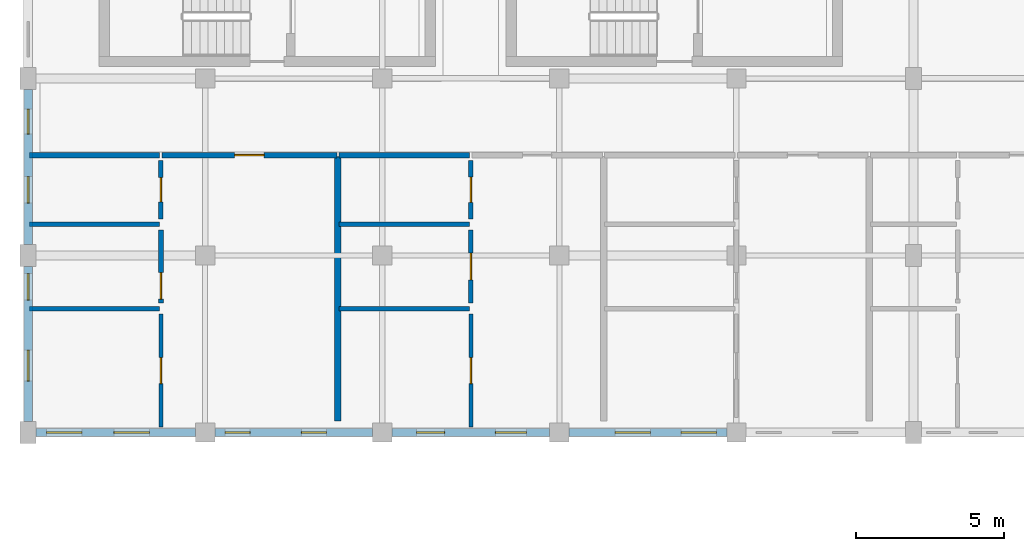
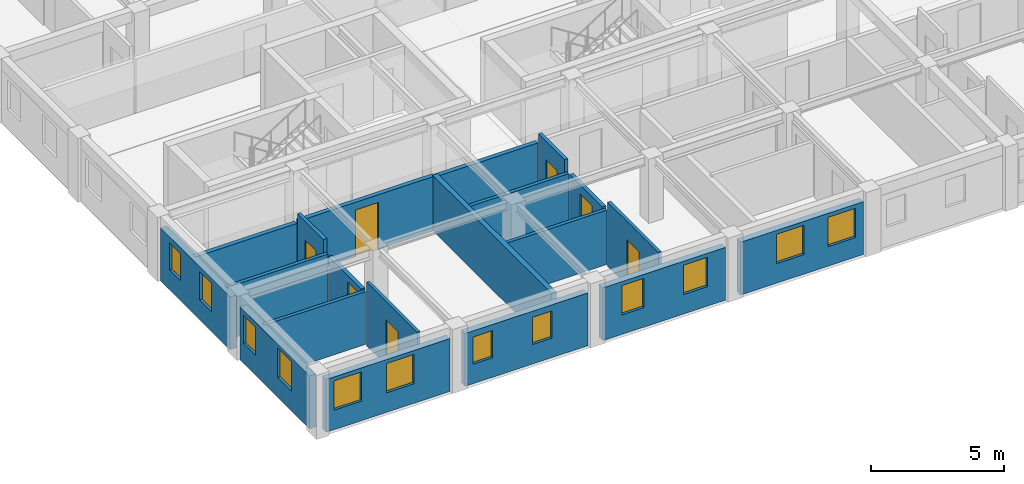
# One storey, part 54 of 100: 20 walls, 12 windows, 7 doors, 19 openings.
"""IFC4 building model written with IfcOpenShell, lengths in metres."""

from ifc_helpers import new_model, si_unit, direction, frame, frame_2d, origin, place, context, subcontext, project, spatial, rectangle, extrude, material, layer, layer_set, type_object, element, fill, save


model = new_model("IFC4")

# Units and contexts
model_context = context("Model", 3, precision=1e-05, world=origin(), true_north=direction((0.0, 1.0)))
body_context = subcontext(model_context, "Body", "Model", "MODEL_VIEW")
ifc_project = project(units=[si_unit("LENGTHUNIT", "METRE"), si_unit("AREAUNIT", "SQUARE_METRE"), si_unit("VOLUMEUNIT", "CUBIC_METRE"), si_unit("PLANEANGLEUNIT", "RADIAN"), si_unit("MASSUNIT", "GRAM", prefix="KILO"), si_unit("POWERUNIT", "WATT"), si_unit("THERMODYNAMICTEMPERATUREUNIT", "KELVIN")], contexts=[model_context])

# Site, building, storey
site_placement = place(None, origin())
site = spatial("IfcSite", under=ifc_project, at=site_placement, CompositionType="ELEMENT")
building_placement = place(site_placement, origin())
building = spatial("IfcBuilding", under=site, at=building_placement, Name="Ruvembo Vaulted Housing Court", CompositionType="ELEMENT")
storey_placement = place(building_placement, frame((0.0, 0.0, 14.10009765625)))
storey = spatial("IfcBuildingStorey", under=building, at=storey_placement, Name="L04", CompositionType="ELEMENT", Elevation=14.10009765625)

# Wall
ifc_material_1 = material(Name="Concrete Blockwork 190", Category="masonry")
ifc_layer_1 = layer(ifc_material_1, 0.18994140625, Name="Concrete Blockwork 190")
ifc_layer_set_1 = layer_set([ifc_layer_1], Name="Concrete Blockwork 190")
wall_type_1 = type_object("IfcWallType", Name="WL-CORR-190", PredefinedType="SOLIDWALL", material=ifc_layer_set_1)
wall_1_placement = place(storey_placement, frame((0.0400390625, 15.39990234375, 0.0), z_axis=(0.0, 0.0, 1.0), x_axis=(1.0, 0.0, 0.0)))
element("IfcWall", 1, at=wall_1_placement, inside=storey, type_object=wall_type_1, Name="L04 Flat A-L04-S1 Corridor Wall WL-INT-L04-01088", PredefinedType="SOLIDWALL", context=body_context, shape_type="SweptSolid", body=[
    extrude(rectangle(XDim=4.419921875, YDim=0.18994140625, at=frame_2d((2.2099609375, 0.0))), origin(), (0.0, 0.0, 1.0), 2.431884765625),
])

# Wall, opening, door
wall_2_placement = place(storey_placement, frame((4.5400390625, 15.39990234375, 0.0), z_axis=(0.0, 0.0, 1.0), x_axis=(1.0, 0.0, 0.0)))
wall_2 = element("IfcWall", 2, at=wall_2_placement, inside=storey, type_object=wall_type_1, Name="L04 Flat A-L04-S1 Entrance WL-INT-L04-01089", PredefinedType="SOLIDWALL", context=body_context, shape_type="SweptSolid", body=[
    extrude(rectangle(XDim=5.919921875, YDim=0.18994140625, at=frame_2d((2.9599609375, 0.0))), origin(), (0.0, 0.0, 1.0), 2.5078125),
])
opening_1_placement = place(wall_2_placement, frame((2.4599609375, 0.0, 0.0)))
opening_1 = element("IfcOpeningElement", 3, at=opening_1_placement, cuts=wall_2, Name="Opening FD1", PredefinedType="OPENING", context=body_context, shape_type="SweptSolid", body=[
    extrude(rectangle(XDim=1.0, YDim=2.14990234375, at=frame_2d((0.5, 1.074951171875))), frame((0.0, 0.10498046875, 0.0), z_axis=(0.0, -1.0, 0.0), x_axis=(1.0, 0.0, 0.0)), (0.0, 0.0, 1.0), 0.2099609375),
])
ifc_material_2 = material(Name="FSC Hardwood and Engineered Timber", Category="wood")
door_type_1 = type_object("IfcDoorType", Name="DR-FLAT-1000x2150", OperationType="NOTDEFINED", PredefinedType="DOOR", material=ifc_material_2)
door_1_placement = place(opening_1_placement, origin())
door_1 = element("IfcDoor", 4, at=door_1_placement, inside=storey, type_object=door_type_1, Name="L04 Flat A-L04-S1 Entrance Door DR-INT-L04-00612", OperationType="SINGLE_SWING_RIGHT", OverallHeight=2.14990234375, OverallWidth=1.0, PredefinedType="DOOR", context=body_context, shape_type="SweptSolid", body=[
    extrude(rectangle(XDim=1.0, YDim=2.14990234375, at=frame_2d((0.5, 1.074951171875))), frame((0.0, 0.02490234375, 0.0), z_axis=(0.0, -1.0, 0.0), x_axis=(1.0, 0.0, 0.0)), (0.0, 0.0, 1.0), 0.050048828125),
])
fill(opening_1, door_1)

# Walls
wall_3_placement = place(storey_placement, frame((10.5400390625, 15.39990234375, 0.0), z_axis=(0.0, 0.0, 1.0), x_axis=(1.0, 0.0, 0.0)))
element("IfcWall", 5, at=wall_3_placement, inside=storey, type_object=wall_type_1, Name="L04 Flat A-L04-S2 Corridor Wall WL-INT-L04-01096", PredefinedType="SOLIDWALL", context=body_context, shape_type="SweptSolid", body=[
    extrude(rectangle(XDim=4.419921875, YDim=0.18994140625, at=frame_2d((2.2099609375, 0.0))), origin(), (0.0, 0.0, 1.0), 2.4580078125),
])
ifc_material_3 = material(Name="Acoustic Masonry Demising 220", Category="masonry")
ifc_layer_2 = layer(ifc_material_3, 0.219970703125, Name="Acoustic Masonry Demising 220")
ifc_layer_set_2 = layer_set([ifc_layer_2], Name="Acoustic Masonry Demising 220")
wall_type_2 = type_object("IfcWallType", Name="WL-DEM-200", PredefinedType="SOLIDWALL", material=ifc_layer_set_2)
wall_4_placement = place(storey_placement, frame((10.5, 6.389892578125, 0.0), z_axis=(0.0, 0.0, 1.0), x_axis=(0.0, 1.0, 0.0)))
element("IfcWall", 6, at=wall_4_placement, inside=storey, type_object=wall_type_2, Name="L04 Demising A-L04-S1 WL-INT-L04-01087", PredefinedType="SOLIDWALL", context=body_context, shape_type="SweptSolid", body=[
    extrude(rectangle(XDim=8.97021484375, YDim=0.219970703125, at=frame_2d((4.485107421875, 0.0))), origin(), (0.0, 0.0, 1.0), 2.5478515625),
])

# Wall, openings, windows
ifc_material_4 = material(Name="Rendered Masonry 285", Category="masonry")
ifc_layer_3 = layer(ifc_material_4, 0.284912109375, Name="Rendered Masonry 285")
ifc_layer_set_3 = layer_set([ifc_layer_3], Name="Rendered Masonry 285")
wall_type_3 = type_object("IfcWallType", Name="WL-EXT-285", PredefinedType="STANDARD", material=ifc_layer_set_3)
wall_5_placement = place(storey_placement, frame((0.27490234375, 6.0, 0.0), z_axis=(0.0, 0.0, 1.0), x_axis=(1.0, 0.0, 0.0)))
wall_5 = element("IfcWall", 7, at=wall_5_placement, inside=storey, type_object=wall_type_3, Name="Block A L04 Exterior Wall STREET #1", PredefinedType="STANDARD", context=body_context, shape_type="SweptSolid", body=[
    extrude(rectangle(XDim=5.400146484375, YDim=0.284912109375, at=frame_2d((2.7001953125, 0.0))), origin(), (0.0, 0.0, 1.0), 2.431884765625),
])
opening_2_placement = place(wall_5_placement, frame((0.35009765625, 0.0, 0.89990234375)))
opening_2 = element("IfcOpeningElement", 8, at=opening_2_placement, cuts=wall_5, Name="Opening W12", PredefinedType="OPENING", context=body_context, shape_type="SweptSolid", body=[
    extrude(rectangle(XDim=1.199951171875, YDim=1.35009765625, at=frame_2d((0.60009765625, 0.675048828125))), frame((0.0, 0.15234375, 0.0), z_axis=(0.0, -1.0, 0.0), x_axis=(1.0, 0.0, 0.0)), (0.0, 0.0, 1.0), 0.304931640625),
])
opening_3_placement = place(wall_5_placement, frame((2.635009765625, 0.0, 0.89990234375)))
opening_3 = element("IfcOpeningElement", 9, at=opening_3_placement, cuts=wall_5, Name="Opening W12", PredefinedType="OPENING", context=body_context, shape_type="SweptSolid", body=[
    extrude(rectangle(XDim=1.199951171875, YDim=1.35009765625, at=frame_2d((0.60009765625, 0.675048828125))), frame((0.0, 0.15234375, 0.0), z_axis=(0.0, -1.0, 0.0), x_axis=(1.0, 0.0, 0.0)), (0.0, 0.0, 1.0), 0.304931640625),
])
ifc_material_5 = material(Name="Double Solar-Control Glazing in Aluminium Frame", Category="aluminium")
window_type_1 = type_object("IfcWindowType", Name="WIN-1200x1350", PartitioningType="SINGLE_PANEL", PredefinedType="WINDOW", material=ifc_material_5)
window_1_placement = place(opening_2_placement, origin())
window_1 = element("IfcWindow", 10, at=window_1_placement, inside=storey, type_object=window_type_1, Name="Block A L04 Window #167", OverallHeight=1.35009765625, OverallWidth=1.199951171875, PartitioningType="SINGLE_PANEL", PredefinedType="WINDOW", context=body_context, shape_type="SweptSolid", body=[
    extrude(rectangle(XDim=1.199951171875, YDim=1.35009765625, at=frame_2d((0.60009765625, 0.675048828125))), frame((0.0, 0.030029296875, 0.0), z_axis=(0.0, -1.0, 0.0), x_axis=(1.0, 0.0, 0.0)), (0.0, 0.0, 1.0), 0.06005859375),
])
fill(opening_2, window_1)
window_2_placement = place(opening_3_placement, origin())
window_2 = element("IfcWindow", 11, at=window_2_placement, inside=storey, type_object=window_type_1, Name="Block A L04 Window #168", OverallHeight=1.35009765625, OverallWidth=1.199951171875, PartitioningType="SINGLE_PANEL", PredefinedType="WINDOW", context=body_context, shape_type="SweptSolid", body=[
    extrude(rectangle(XDim=1.199951171875, YDim=1.35009765625, at=frame_2d((0.60009765625, 0.675048828125))), frame((0.0, 0.030029296875, 0.0), z_axis=(0.0, -1.0, 0.0), x_axis=(1.0, 0.0, 0.0)), (0.0, 0.0, 1.0), 0.06005859375),
])
fill(opening_3, window_2)

wall_6_placement = place(storey_placement, frame((6.324951171875, 6.0, 0.0), z_axis=(0.0, 0.0, 1.0), x_axis=(1.0, 0.0, 0.0)))
wall_6 = element("IfcWall", 12, at=wall_6_placement, inside=storey, type_object=wall_type_3, Name="Block A L04 Exterior Wall STREET #2", PredefinedType="STANDARD", context=body_context, shape_type="SweptSolid", body=[
    extrude(rectangle(XDim=5.35009765625, YDim=0.284912109375, at=frame_2d((2.675048828125, 0.0))), origin(), (0.0, 0.0, 1.0), 2.431884765625),
])
opening_4_placement = place(wall_6_placement, frame((0.35009765625, 0.0, 0.89990234375)))
opening_4 = element("IfcOpeningElement", 13, at=opening_4_placement, cuts=wall_6, Name="Opening W03", PredefinedType="OPENING", context=body_context, shape_type="SweptSolid", body=[
    extrude(rectangle(XDim=0.85009765625, YDim=1.25, at=frame_2d((0.425048828125, 0.625))), frame((0.0, 0.15234375, 0.0), z_axis=(0.0, -1.0, 0.0), x_axis=(1.0, 0.0, 0.0)), (0.0, 0.0, 1.0), 0.304931640625),
])
opening_5_placement = place(wall_6_placement, frame((2.93505859375, 0.0, 0.89990234375)))
opening_5 = element("IfcOpeningElement", 14, at=opening_5_placement, cuts=wall_6, Name="Opening W03", PredefinedType="OPENING", context=body_context, shape_type="SweptSolid", body=[
    extrude(rectangle(XDim=0.85009765625, YDim=1.25, at=frame_2d((0.425048828125, 0.625))), frame((0.0, 0.15234375, 0.0), z_axis=(0.0, -1.0, 0.0), x_axis=(1.0, 0.0, 0.0)), (0.0, 0.0, 1.0), 0.304931640625),
])
window_type_2 = type_object("IfcWindowType", Name="WIN-0850x1250", PartitioningType="SINGLE_PANEL", PredefinedType="WINDOW", material=ifc_material_5)
window_3_placement = place(opening_4_placement, origin())
window_3 = element("IfcWindow", 15, at=window_3_placement, inside=storey, type_object=window_type_2, Name="Block A L04 Window #169", OverallHeight=1.25, OverallWidth=0.85009765625, PartitioningType="SINGLE_PANEL", PredefinedType="WINDOW", context=body_context, shape_type="SweptSolid", body=[
    extrude(rectangle(XDim=0.85009765625, YDim=1.25, at=frame_2d((0.425048828125, 0.625))), frame((0.0, 0.030029296875, 0.0), z_axis=(0.0, -1.0, 0.0), x_axis=(1.0, 0.0, 0.0)), (0.0, 0.0, 1.0), 0.06005859375),
])
fill(opening_4, window_3)
window_4_placement = place(opening_5_placement, origin())
window_4 = element("IfcWindow", 16, at=window_4_placement, inside=storey, type_object=window_type_2, Name="Block A L04 Window #170", OverallHeight=1.25, OverallWidth=0.85009765625, PartitioningType="SINGLE_PANEL", PredefinedType="WINDOW", context=body_context, shape_type="SweptSolid", body=[
    extrude(rectangle(XDim=0.85009765625, YDim=1.25, at=frame_2d((0.425048828125, 0.625))), frame((0.0, 0.030029296875, 0.0), z_axis=(0.0, -1.0, 0.0), x_axis=(1.0, 0.0, 0.0)), (0.0, 0.0, 1.0), 0.06005859375),
])
fill(opening_5, window_4)

wall_7_placement = place(storey_placement, frame((12.324951171875, 6.0, 0.0), z_axis=(0.0, 0.0, 1.0), x_axis=(1.0, 0.0, 0.0)))
wall_7 = element("IfcWall", 17, at=wall_7_placement, inside=storey, type_object=wall_type_3, Name="Block A L04 Exterior Wall STREET #3", PredefinedType="STANDARD", context=body_context, shape_type="SweptSolid", body=[
    extrude(rectangle(XDim=5.35009765625, YDim=0.284912109375, at=frame_2d((2.675048828125, 0.0))), origin(), (0.0, 0.0, 1.0), 2.431884765625),
])
opening_6_placement = place(wall_7_placement, frame((0.842529296875, 0.0, 0.89990234375)))
opening_6 = element("IfcOpeningElement", 18, at=opening_6_placement, cuts=wall_7, Name="Opening W07", PredefinedType="OPENING", context=body_context, shape_type="SweptSolid", body=[
    extrude(rectangle(XDim=0.949951171875, YDim=1.35009765625, at=frame_2d((0.47509765625, 0.675048828125))), frame((0.0, 0.15234375, 0.0), z_axis=(0.0, -1.0, 0.0), x_axis=(1.0, 0.0, 0.0)), (0.0, 0.0, 1.0), 0.304931640625),
])
opening_7_placement = place(wall_7_placement, frame((3.507568359375, 0.0, 0.89990234375)))
opening_7 = element("IfcOpeningElement", 19, at=opening_7_placement, cuts=wall_7, Name="Opening W09", PredefinedType="OPENING", context=body_context, shape_type="SweptSolid", body=[
    extrude(rectangle(XDim=1.050048828125, YDim=1.35009765625, at=frame_2d((0.52490234375, 0.675048828125))), frame((0.0, 0.15234375, 0.0), z_axis=(0.0, -1.0, 0.0), x_axis=(1.0, 0.0, 0.0)), (0.0, 0.0, 1.0), 0.304931640625),
])
window_type_3 = type_object("IfcWindowType", Name="WIN-0950x1350", PartitioningType="SINGLE_PANEL", PredefinedType="WINDOW", material=ifc_material_5)
window_5_placement = place(opening_6_placement, origin())
window_5 = element("IfcWindow", 20, at=window_5_placement, inside=storey, type_object=window_type_3, Name="Block A L04 Window #171", OverallHeight=1.35009765625, OverallWidth=0.949951171875, PartitioningType="SINGLE_PANEL", PredefinedType="WINDOW", context=body_context, shape_type="SweptSolid", body=[
    extrude(rectangle(XDim=0.949951171875, YDim=1.35009765625, at=frame_2d((0.47509765625, 0.675048828125))), frame((0.0, 0.030029296875, 0.0), z_axis=(0.0, -1.0, 0.0), x_axis=(1.0, 0.0, 0.0)), (0.0, 0.0, 1.0), 0.06005859375),
])
fill(opening_6, window_5)
window_type_4 = type_object("IfcWindowType", Name="WIN-1050x1350", PartitioningType="SINGLE_PANEL", PredefinedType="WINDOW", material=ifc_material_5)
window_6_placement = place(opening_7_placement, origin())
window_6 = element("IfcWindow", 21, at=window_6_placement, inside=storey, type_object=window_type_4, Name="Block A L04 Window #172", OverallHeight=1.35009765625, OverallWidth=1.050048828125, PartitioningType="SINGLE_PANEL", PredefinedType="WINDOW", context=body_context, shape_type="SweptSolid", body=[
    extrude(rectangle(XDim=1.050048828125, YDim=1.35009765625, at=frame_2d((0.52490234375, 0.675048828125))), frame((0.0, 0.030029296875, 0.0), z_axis=(0.0, -1.0, 0.0), x_axis=(1.0, 0.0, 0.0)), (0.0, 0.0, 1.0), 0.06005859375),
])
fill(opening_7, window_6)

wall_8_placement = place(storey_placement, frame((18.324951171875, 6.0, 0.0), z_axis=(0.0, 0.0, 1.0), x_axis=(1.0, 0.0, 0.0)))
wall_8 = element("IfcWall", 22, at=wall_8_placement, inside=storey, type_object=wall_type_3, Name="Block A L04 Exterior Wall STREET #4", PredefinedType="STANDARD", context=body_context, shape_type="SweptSolid", body=[
    extrude(rectangle(XDim=5.35009765625, YDim=0.284912109375, at=frame_2d((2.675048828125, 0.0))), origin(), (0.0, 0.0, 1.0), 2.431884765625),
])
opening_8_placement = place(wall_8_placement, frame((1.56494140625, 0.0, 0.89990234375)))
opening_8 = element("IfcOpeningElement", 23, at=opening_8_placement, cuts=wall_8, Name="Opening W12", PredefinedType="OPENING", context=body_context, shape_type="SweptSolid", body=[
    extrude(rectangle(XDim=1.199951171875, YDim=1.35009765625, at=frame_2d((0.60009765625, 0.675048828125))), frame((0.0, 0.15234375, 0.0), z_axis=(0.0, -1.0, 0.0), x_axis=(1.0, 0.0, 0.0)), (0.0, 0.0, 1.0), 0.304931640625),
])
opening_9_placement = place(wall_8_placement, frame((3.800048828125, 0.0, 0.89990234375)))
opening_9 = element("IfcOpeningElement", 24, at=opening_9_placement, cuts=wall_8, Name="Opening W12", PredefinedType="OPENING", context=body_context, shape_type="SweptSolid", body=[
    extrude(rectangle(XDim=1.199951171875, YDim=1.35009765625, at=frame_2d((0.60009765625, 0.675048828125))), frame((0.0, 0.15234375, 0.0), z_axis=(0.0, -1.0, 0.0), x_axis=(1.0, 0.0, 0.0)), (0.0, 0.0, 1.0), 0.304931640625),
])
window_7_placement = place(opening_8_placement, origin())
window_7 = element("IfcWindow", 25, at=window_7_placement, inside=storey, type_object=window_type_1, Name="Block A L04 Window #173", OverallHeight=1.35009765625, OverallWidth=1.199951171875, PartitioningType="SINGLE_PANEL", PredefinedType="WINDOW", context=body_context, shape_type="SweptSolid", body=[
    extrude(rectangle(XDim=1.199951171875, YDim=1.35009765625, at=frame_2d((0.60009765625, 0.675048828125))), frame((0.0, 0.030029296875, 0.0), z_axis=(0.0, -1.0, 0.0), x_axis=(1.0, 0.0, 0.0)), (0.0, 0.0, 1.0), 0.06005859375),
])
fill(opening_8, window_7)
window_8_placement = place(opening_9_placement, origin())
window_8 = element("IfcWindow", 26, at=window_8_placement, inside=storey, type_object=window_type_1, Name="Block A L04 Window #174", OverallHeight=1.35009765625, OverallWidth=1.199951171875, PartitioningType="SINGLE_PANEL", PredefinedType="WINDOW", context=body_context, shape_type="SweptSolid", body=[
    extrude(rectangle(XDim=1.199951171875, YDim=1.35009765625, at=frame_2d((0.60009765625, 0.675048828125))), frame((0.0, 0.030029296875, 0.0), z_axis=(0.0, -1.0, 0.0), x_axis=(1.0, 0.0, 0.0)), (0.0, 0.0, 1.0), 0.06005859375),
])
fill(opening_9, window_8)

wall_9_placement = place(storey_placement, frame((0.0, 17.625, 0.0), z_axis=(0.0, 0.0, 1.0), x_axis=(0.0, -1.0, 0.0)))
wall_9 = element("IfcWall", 27, at=wall_9_placement, inside=storey, type_object=wall_type_3, Name="Block A L04 Exterior Wall WEST #5", PredefinedType="STANDARD", context=body_context, shape_type="SweptSolid", body=[
    extrude(rectangle(XDim=5.25, YDim=0.284912109375, at=frame_2d((2.625, 0.0))), origin(), (0.0, 0.0, 1.0), 2.431884765625),
])
opening_10_placement = place(wall_9_placement, frame((0.66748046875, 0.0, 0.89990234375)))
opening_10 = element("IfcOpeningElement", 28, at=opening_10_placement, cuts=wall_9, Name="Opening W03", PredefinedType="OPENING", context=body_context, shape_type="SweptSolid", body=[
    extrude(rectangle(XDim=0.85009765625, YDim=1.25, at=frame_2d((0.425048828125, 0.625))), frame((0.0, 0.15234375, 0.0), z_axis=(0.0, -1.0, 0.0), x_axis=(1.0, 0.0, 0.0)), (0.0, 0.0, 1.0), 0.304931640625),
])
opening_11_placement = place(wall_9_placement, frame((2.949951171875, 0.0, 0.89990234375)))
opening_11 = element("IfcOpeningElement", 29, at=opening_11_placement, cuts=wall_9, Name="Opening W04", PredefinedType="OPENING", context=body_context, shape_type="SweptSolid", body=[
    extrude(rectangle(XDim=0.89990234375, YDim=1.300048828125, at=frame_2d((0.449951171875, 0.64990234375))), frame((0.0, 0.15234375, 0.0), z_axis=(0.0, -1.0, 0.0), x_axis=(1.0, 0.0, 0.0)), (0.0, 0.0, 1.0), 0.304931640625),
])
window_9_placement = place(opening_10_placement, origin())
window_9 = element("IfcWindow", 30, at=window_9_placement, inside=storey, type_object=window_type_2, Name="Block A L04 Window #205", OverallHeight=1.25, OverallWidth=0.85009765625, PartitioningType="SINGLE_PANEL", PredefinedType="WINDOW", context=body_context, shape_type="SweptSolid", body=[
    extrude(rectangle(XDim=0.85009765625, YDim=1.25, at=frame_2d((0.425048828125, 0.625))), frame((0.0, 0.030029296875, 0.0), z_axis=(0.0, -1.0, 0.0), x_axis=(1.0, 0.0, 0.0)), (0.0, 0.0, 1.0), 0.06005859375),
])
fill(opening_10, window_9)
window_type_5 = type_object("IfcWindowType", Name="WIN-0900x1300", PartitioningType="SINGLE_PANEL", PredefinedType="WINDOW", material=ifc_material_5)
window_10_placement = place(opening_11_placement, origin())
window_10 = element("IfcWindow", 31, at=window_10_placement, inside=storey, type_object=window_type_5, Name="Block A L04 Window #206", OverallHeight=1.300048828125, OverallWidth=0.89990234375, PartitioningType="SINGLE_PANEL", PredefinedType="WINDOW", context=body_context, shape_type="SweptSolid", body=[
    extrude(rectangle(XDim=0.89990234375, YDim=1.300048828125, at=frame_2d((0.449951171875, 0.64990234375))), frame((0.0, 0.030029296875, 0.0), z_axis=(0.0, -1.0, 0.0), x_axis=(1.0, 0.0, 0.0)), (0.0, 0.0, 1.0), 0.06005859375),
])
fill(opening_11, window_10)

wall_10_placement = place(storey_placement, frame((0.0, 11.625, 0.0), z_axis=(0.0, 0.0, 1.0), x_axis=(0.0, -1.0, 0.0)))
wall_10 = element("IfcWall", 32, at=wall_10_placement, inside=storey, type_object=wall_type_3, Name="Block A L04 Exterior Wall WEST #6", PredefinedType="STANDARD", context=body_context, shape_type="SweptSolid", body=[
    extrude(rectangle(XDim=5.25, YDim=0.284912109375, at=frame_2d((2.625, 0.0))), origin(), (0.0, 0.0, 1.0), 2.431884765625),
])
opening_12_placement = place(wall_10_placement, frame((0.242431640625, 0.0, 0.89990234375)))
opening_12 = element("IfcOpeningElement", 33, at=opening_12_placement, cuts=wall_10, Name="Opening W04", PredefinedType="OPENING", context=body_context, shape_type="SweptSolid", body=[
    extrude(rectangle(XDim=0.89990234375, YDim=1.300048828125, at=frame_2d((0.449951171875, 0.64990234375))), frame((0.0, 0.15234375, 0.0), z_axis=(0.0, -1.0, 0.0), x_axis=(1.0, 0.0, 0.0)), (0.0, 0.0, 1.0), 0.304931640625),
])
opening_13_placement = place(wall_10_placement, frame((2.83251953125, 0.0, 0.89990234375)))
opening_13 = element("IfcOpeningElement", 34, at=opening_13_placement, cuts=wall_10, Name="Opening W09", PredefinedType="OPENING", context=body_context, shape_type="SweptSolid", body=[
    extrude(rectangle(XDim=1.050048828125, YDim=1.35009765625, at=frame_2d((0.52490234375, 0.675048828125))), frame((0.0, 0.15234375, 0.0), z_axis=(0.0, -1.0, 0.0), x_axis=(1.0, 0.0, 0.0)), (0.0, 0.0, 1.0), 0.304931640625),
])
window_11_placement = place(opening_12_placement, origin())
window_11 = element("IfcWindow", 35, at=window_11_placement, inside=storey, type_object=window_type_5, Name="Block A L04 Window #207", OverallHeight=1.300048828125, OverallWidth=0.89990234375, PartitioningType="SINGLE_PANEL", PredefinedType="WINDOW", context=body_context, shape_type="SweptSolid", body=[
    extrude(rectangle(XDim=0.89990234375, YDim=1.300048828125, at=frame_2d((0.449951171875, 0.64990234375))), frame((0.0, 0.030029296875, 0.0), z_axis=(0.0, -1.0, 0.0), x_axis=(1.0, 0.0, 0.0)), (0.0, 0.0, 1.0), 0.06005859375),
])
fill(opening_12, window_11)
window_12_placement = place(opening_13_placement, origin())
window_12 = element("IfcWindow", 36, at=window_12_placement, inside=storey, type_object=window_type_4, Name="Block A L04 Window #208", OverallHeight=1.35009765625, OverallWidth=1.050048828125, PartitioningType="SINGLE_PANEL", PredefinedType="WINDOW", context=body_context, shape_type="SweptSolid", body=[
    extrude(rectangle(XDim=1.050048828125, YDim=1.35009765625, at=frame_2d((0.52490234375, 0.675048828125))), frame((0.0, 0.030029296875, 0.0), z_axis=(0.0, -1.0, 0.0), x_axis=(1.0, 0.0, 0.0)), (0.0, 0.0, 1.0), 0.06005859375),
])
fill(opening_13, window_12)

# Wall, opening, door
ifc_material_6 = material(Name="Plasterboard Stud Partition 125", Category="gypsum")
ifc_layer_4 = layer(ifc_material_6, 0.125, Name="Plasterboard Stud Partition 125")
ifc_layer_set_4 = layer_set([ifc_layer_4], Name="Plasterboard Stud Partition 125")
wall_type_4 = type_object("IfcWallType", Name="WL-PART-125", PredefinedType="PARTITIONING", material=ifc_layer_set_4)
wall_11_placement = place(storey_placement, frame((4.5, 6.18994140625, 0.0), z_axis=(0.0, 0.0, 1.0), x_axis=(0.0, 1.0, 0.0)))
wall_11 = element("IfcWall", 37, at=wall_11_placement, inside=storey, type_object=wall_type_4, Name="L04 Flat A-L04-S1 Bedroom 1 WL-INT-L04-01090", PredefinedType="PARTITIONING", context=body_context, shape_type="SweptSolid", body=[
    extrude(rectangle(XDim=3.820068359375, YDim=0.125, at=frame_2d((1.91015625, 0.0))), origin(), (0.0, 0.0, 1.0), 2.949951171875),
])
opening_14_placement = place(wall_11_placement, frame((1.469970703125, 0.0, 0.0)))
opening_14 = element("IfcOpeningElement", 38, at=opening_14_placement, cuts=wall_11, Name="Opening ID3", PredefinedType="OPENING", context=body_context, shape_type="SweptSolid", body=[
    extrude(rectangle(XDim=0.8798828125, YDim=2.10009765625, at=frame_2d((0.43994140625, 1.050048828125))), frame((0.0, 0.072509765625, 0.0), z_axis=(0.0, -1.0, 0.0), x_axis=(1.0, 0.0, 0.0)), (0.0, 0.0, 1.0), 0.14501953125),
])
door_type_2 = type_object("IfcDoorType", Name="DR-ROOM-0880x2100", OperationType="NOTDEFINED", PredefinedType="DOOR", material=ifc_material_2)
door_2_placement = place(opening_14_placement, origin())
door_2 = element("IfcDoor", 39, at=door_2_placement, inside=storey, type_object=door_type_2, Name="L04 Flat A-L04-S1 Bedroom 1 Door DR-INT-L04-00613", OperationType="SINGLE_SWING_LEFT", OverallHeight=2.10009765625, OverallWidth=0.8798828125, PredefinedType="DOOR", context=body_context, shape_type="SweptSolid", body=[
    extrude(rectangle(XDim=0.8798828125, YDim=2.10009765625, at=frame_2d((0.43994140625, 1.050048828125))), frame((0.0, 0.02490234375, 0.0), z_axis=(0.0, -1.0, 0.0), x_axis=(1.0, 0.0, 0.0)), (0.0, 0.0, 1.0), 0.050048828125),
])
fill(opening_14, door_2)

ifc_material_7 = material(Name="Acoustic Stud Partition 135", Category="gypsum")
ifc_layer_5 = layer(ifc_material_7, 0.135009765625, Name="Acoustic Stud Partition 135")
ifc_layer_set_5 = layer_set([ifc_layer_5], Name="Acoustic Stud Partition 135")
wall_type_5 = type_object("IfcWallType", Name="WL-PART-135", PredefinedType="PARTITIONING", material=ifc_layer_set_5)
wall_12_placement = place(storey_placement, frame((15.0, 6.18994140625, 0.0), z_axis=(0.0, 0.0, 1.0), x_axis=(0.0, 1.0, 0.0)))
wall_12 = element("IfcWall", 40, at=wall_12_placement, inside=storey, type_object=wall_type_5, Name="L04 Flat A-L04-S2 Bedroom 1 WL-INT-L04-01098", PredefinedType="PARTITIONING", context=body_context, shape_type="SweptSolid", body=[
    extrude(rectangle(XDim=3.820068359375, YDim=0.135009765625, at=frame_2d((1.91015625, 0.0))), origin(), (0.0, 0.0, 1.0), 2.949951171875),
])
opening_15_placement = place(wall_12_placement, frame((1.469970703125, 0.0, 0.0)))
opening_15 = element("IfcOpeningElement", 41, at=opening_15_placement, cuts=wall_12, Name="Opening ID3", PredefinedType="OPENING", context=body_context, shape_type="SweptSolid", body=[
    extrude(rectangle(XDim=0.8798828125, YDim=2.10009765625, at=frame_2d((0.43994140625, 1.050048828125))), frame((0.0, 0.077392578125, 0.0), z_axis=(0.0, -1.0, 0.0), x_axis=(1.0, 0.0, 0.0)), (0.0, 0.0, 1.0), 0.155029296875),
])
door_3_placement = place(opening_15_placement, origin())
door_3 = element("IfcDoor", 42, at=door_3_placement, inside=storey, type_object=door_type_2, Name="L04 Flat A-L04-S2 Bedroom 1 Door DR-INT-L04-00617", OperationType="SINGLE_SWING_LEFT", OverallHeight=2.10009765625, OverallWidth=0.8798828125, PredefinedType="DOOR", context=body_context, shape_type="SweptSolid", body=[
    extrude(rectangle(XDim=0.8798828125, YDim=2.10009765625, at=frame_2d((0.43994140625, 1.050048828125))), frame((0.0, 0.02490234375, 0.0), z_axis=(0.0, -1.0, 0.0), x_axis=(1.0, 0.0, 0.0)), (0.0, 0.0, 1.0), 0.050048828125),
])
fill(opening_15, door_3)

ifc_material_8 = material(Name="Moisture-Resistant Wet Partition 150", Category="gypsum")
ifc_layer_6 = layer(ifc_material_8, 0.14990234375, Name="Moisture-Resistant Wet Partition 150")
ifc_layer_set_6 = layer_set([ifc_layer_6], Name="Moisture-Resistant Wet Partition 150")
wall_type_6 = type_object("IfcWallType", Name="WL-PART-150", PredefinedType="PARTITIONING", material=ifc_layer_set_6)
wall_13_placement = place(storey_placement, frame((4.5, 13.239990234375, 0.0), z_axis=(0.0, 0.0, 1.0), x_axis=(0.0, 1.0, 0.0)))
wall_13 = element("IfcWall", 43, at=wall_13_placement, inside=storey, type_object=wall_type_6, Name="L04 Flat A-L04-S1 Bathroom WL-INT-L04-01092", PredefinedType="PARTITIONING", context=body_context, shape_type="SweptSolid", body=[
    extrude(rectangle(XDim=1.969970703125, YDim=0.14990234375, at=frame_2d((0.98486328125, 0.0))), origin(), (0.0, 0.0, 1.0), 2.949951171875),
])
opening_16_placement = place(wall_13_placement, frame((0.574951171875, 0.0, 0.0)))
opening_16 = element("IfcOpeningElement", 44, at=opening_16_placement, cuts=wall_13, Name="Opening ID4", PredefinedType="OPENING", context=body_context, shape_type="SweptSolid", body=[
    extrude(rectangle(XDim=0.820068359375, YDim=2.080078125, at=frame_2d((0.41015625, 1.0400390625))), frame((0.0, 0.0849609375, 0.0), z_axis=(0.0, -1.0, 0.0), x_axis=(1.0, 0.0, 0.0)), (0.0, 0.0, 1.0), 0.169921875),
])
door_type_3 = type_object("IfcDoorType", Name="DR-WET-0820x2080", OperationType="NOTDEFINED", PredefinedType="DOOR", material=ifc_material_2)
door_4_placement = place(opening_16_placement, origin())
door_4 = element("IfcDoor", 45, at=door_4_placement, inside=storey, type_object=door_type_3, Name="L04 Flat A-L04-S1 Bathroom Door DR-INT-L04-00615", OperationType="SINGLE_SWING_LEFT", OverallHeight=2.080078125, OverallWidth=0.820068359375, PredefinedType="DOOR", context=body_context, shape_type="SweptSolid", body=[
    extrude(rectangle(XDim=0.820068359375, YDim=2.080078125, at=frame_2d((0.41015625, 1.0400390625))), frame((0.0, 0.02490234375, 0.0), z_axis=(0.0, -1.0, 0.0), x_axis=(1.0, 0.0, 0.0)), (0.0, 0.0, 1.0), 0.050048828125),
])
fill(opening_16, door_4)

# Walls
for number, where, z_axis, x_axis, name in (
    (46, (0.0400390625, 10.199951171875, 0.0), (0.0, 0.0, 1.0), (1.0, 0.0, 0.0), "L04 Flat A-L04-S1 Wet Wall 1 WL-INT-L04-01093"),
    (47, (0.0400390625, 13.050048828125, 0.0), (0.0, 0.0, 1.0), (1.0, 0.0, 0.0), "L04 Flat A-L04-S1 Wet Wall 2 WL-INT-L04-01094"),
):
    element("IfcWall", number, at=place(storey_placement, frame(where, z_axis=z_axis, x_axis=x_axis)), inside=storey, type_object=wall_type_6, Name=name, PredefinedType="PARTITIONING", context=body_context, shape_type="SweptSolid", body=[
        extrude(rectangle(XDim=4.419921875, YDim=0.14990234375, at=frame_2d((2.2099609375, 0.0))), origin(), (0.0, 0.0, 1.0), 2.431884765625),
    ])

# Wall, opening, door
wall_14_placement = place(storey_placement, frame((15.0, 13.239990234375, 0.0), z_axis=(0.0, 0.0, 1.0), x_axis=(0.0, 1.0, 0.0)))
wall_14 = element("IfcWall", 48, at=wall_14_placement, inside=storey, type_object=wall_type_6, Name="L04 Flat A-L04-S2 Bathroom WL-INT-L04-01100", PredefinedType="PARTITIONING", context=body_context, shape_type="SweptSolid", body=[
    extrude(rectangle(XDim=1.969970703125, YDim=0.14990234375, at=frame_2d((0.98486328125, 0.0))), origin(), (0.0, 0.0, 1.0), 2.949951171875),
])
opening_17_placement = place(wall_14_placement, frame((0.56005859375, 0.0, 0.0)))
opening_17 = element("IfcOpeningElement", 49, at=opening_17_placement, cuts=wall_14, Name="Opening ID2", PredefinedType="OPENING", context=body_context, shape_type="SweptSolid", body=[
    extrude(rectangle(XDim=0.85009765625, YDim=2.10009765625, at=frame_2d((0.425048828125, 1.050048828125))), frame((0.0, 0.0849609375, 0.0), z_axis=(0.0, -1.0, 0.0), x_axis=(1.0, 0.0, 0.0)), (0.0, 0.0, 1.0), 0.169921875),
])
door_type_4 = type_object("IfcDoorType", Name="DR-WET-0850x2100", OperationType="NOTDEFINED", PredefinedType="DOOR", material=ifc_material_2)
door_5_placement = place(opening_17_placement, origin())
door_5 = element("IfcDoor", 50, at=door_5_placement, inside=storey, type_object=door_type_4, Name="L04 Flat A-L04-S2 Bathroom Door DR-INT-L04-00619", OperationType="SINGLE_SWING_LEFT", OverallHeight=2.10009765625, OverallWidth=0.85009765625, PredefinedType="DOOR", context=body_context, shape_type="SweptSolid", body=[
    extrude(rectangle(XDim=0.85009765625, YDim=2.10009765625, at=frame_2d((0.425048828125, 1.050048828125))), frame((0.0, 0.02490234375, 0.0), z_axis=(0.0, -1.0, 0.0), x_axis=(1.0, 0.0, 0.0)), (0.0, 0.0, 1.0), 0.050048828125),
])
fill(opening_17, door_5)

# Walls
wall_15_placement = place(storey_placement, frame((10.5400390625, 10.199951171875, 0.0), z_axis=(0.0, 0.0, 1.0), x_axis=(1.0, 0.0, 0.0)))
element("IfcWall", 51, at=wall_15_placement, inside=storey, type_object=wall_type_6, Name="L04 Flat A-L04-S2 Wet Wall 1 WL-INT-L04-01101", PredefinedType="PARTITIONING", context=body_context, shape_type="SweptSolid", body=[
    extrude(rectangle(XDim=4.419921875, YDim=0.14990234375, at=frame_2d((2.2099609375, 0.0))), origin(), (0.0, 0.0, 1.0), 2.5078125),
])
wall_16_placement = place(storey_placement, frame((10.5400390625, 13.050048828125, 0.0), z_axis=(0.0, 0.0, 1.0), x_axis=(1.0, 0.0, 0.0)))
element("IfcWall", 52, at=wall_16_placement, inside=storey, type_object=wall_type_6, Name="L04 Flat A-L04-S2 Wet Wall 2 WL-INT-L04-01102", PredefinedType="PARTITIONING", context=body_context, shape_type="SweptSolid", body=[
    extrude(rectangle(XDim=4.419921875, YDim=0.14990234375, at=frame_2d((2.2099609375, 0.0))), origin(), (0.0, 0.0, 1.0), 2.4580078125),
])

# Wall, opening, door
ifc_material_9 = material(Name="Acoustic Service Chase Wall 160", Category="gypsum")
ifc_layer_7 = layer(ifc_material_9, 0.159912109375, Name="Acoustic Service Chase Wall 160")
ifc_layer_set_7 = layer_set([ifc_layer_7], Name="Acoustic Service Chase Wall 160")
wall_type_7 = type_object("IfcWallType", Name="WL-PLUMB-160", PredefinedType="PLUMBINGWALL", material=ifc_layer_set_7)
wall_17_placement = place(storey_placement, frame((4.5, 10.389892578125, 0.0), z_axis=(0.0, 0.0, 1.0), x_axis=(0.0, 1.0, 0.0)))
wall_17 = element("IfcWall", 53, at=wall_17_placement, inside=storey, type_object=wall_type_7, Name="L04 Flat A-L04-S1 Kitchen WL-INT-L04-01091", PredefinedType="PLUMBINGWALL", context=body_context, shape_type="SweptSolid", body=[
    extrude(rectangle(XDim=2.47021484375, YDim=0.159912109375, at=frame_2d((1.235107421875, 0.0))), origin(), (0.0, 0.0, 1.0), 2.407958984375),
])
opening_18_placement = place(wall_17_placement, frame((0.1298828125, 0.0, 0.0)))
opening_18 = element("IfcOpeningElement", 54, at=opening_18_placement, cuts=wall_17, Name="Opening ID1", PredefinedType="OPENING", context=body_context, shape_type="SweptSolid", body=[
    extrude(rectangle(XDim=0.89990234375, YDim=2.10009765625, at=frame_2d((0.449951171875, 1.050048828125))), frame((0.0, 0.08984375, 0.0), z_axis=(0.0, -1.0, 0.0), x_axis=(1.0, 0.0, 0.0)), (0.0, 0.0, 1.0), 0.179931640625),
])
door_type_5 = type_object("IfcDoorType", Name="DR-ROOM-0900x2100", OperationType="NOTDEFINED", PredefinedType="DOOR", material=ifc_material_2)
door_6_placement = place(opening_18_placement, origin())
door_6 = element("IfcDoor", 55, at=door_6_placement, inside=storey, type_object=door_type_5, Name="L04 Flat A-L04-S1 Kitchen Door DR-INT-L04-00614", OperationType="SINGLE_SWING_RIGHT", OverallHeight=2.10009765625, OverallWidth=0.89990234375, PredefinedType="DOOR", context=body_context, shape_type="SweptSolid", body=[
    extrude(rectangle(XDim=0.89990234375, YDim=2.10009765625, at=frame_2d((0.449951171875, 1.050048828125))), frame((0.0, 0.02490234375, 0.0), z_axis=(0.0, -1.0, 0.0), x_axis=(1.0, 0.0, 0.0)), (0.0, 0.0, 1.0), 0.050048828125),
])
fill(opening_18, door_6)

wall_18_placement = place(storey_placement, frame((15.0, 10.389892578125, 0.0), z_axis=(0.0, 0.0, 1.0), x_axis=(0.0, 1.0, 0.0)))
wall_18 = element("IfcWall", 56, at=wall_18_placement, inside=storey, type_object=wall_type_7, Name="L04 Flat A-L04-S2 Kitchen WL-INT-L04-01099", PredefinedType="PLUMBINGWALL", context=body_context, shape_type="SweptSolid", body=[
    extrude(rectangle(XDim=2.47021484375, YDim=0.159912109375, at=frame_2d((1.235107421875, 0.0))), origin(), (0.0, 0.0, 1.0), 2.5078125),
])
opening_19_placement = place(wall_18_placement, frame((0.784912109375, 0.0, 0.0)))
opening_19 = element("IfcOpeningElement", 57, at=opening_19_placement, cuts=wall_18, Name="Opening ID1", PredefinedType="OPENING", context=body_context, shape_type="SweptSolid", body=[
    extrude(rectangle(XDim=0.89990234375, YDim=2.10009765625, at=frame_2d((0.449951171875, 1.050048828125))), frame((0.0, 0.08984375, 0.0), z_axis=(0.0, -1.0, 0.0), x_axis=(1.0, 0.0, 0.0)), (0.0, 0.0, 1.0), 0.179931640625),
])
door_7_placement = place(opening_19_placement, origin())
door_7 = element("IfcDoor", 58, at=door_7_placement, inside=storey, type_object=door_type_5, Name="L04 Flat A-L04-S2 Kitchen Door DR-INT-L04-00618", OperationType="SINGLE_SWING_RIGHT", OverallHeight=2.10009765625, OverallWidth=0.89990234375, PredefinedType="DOOR", context=body_context, shape_type="SweptSolid", body=[
    extrude(rectangle(XDim=0.89990234375, YDim=2.10009765625, at=frame_2d((0.449951171875, 1.050048828125))), frame((0.0, 0.02490234375, 0.0), z_axis=(0.0, -1.0, 0.0), x_axis=(1.0, 0.0, 0.0)), (0.0, 0.0, 1.0), 0.050048828125),
])
fill(opening_19, door_7)

save(model, "model.ifc")
